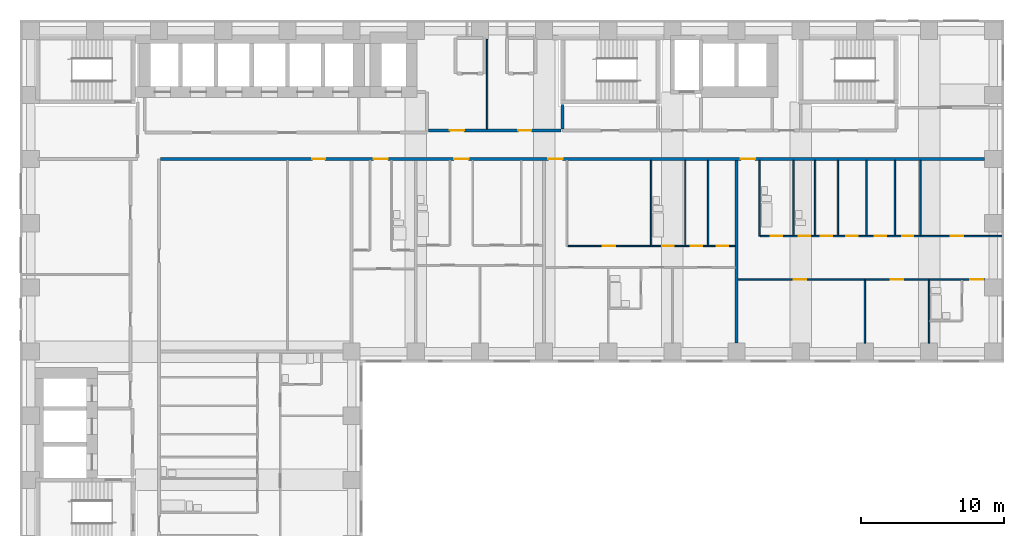
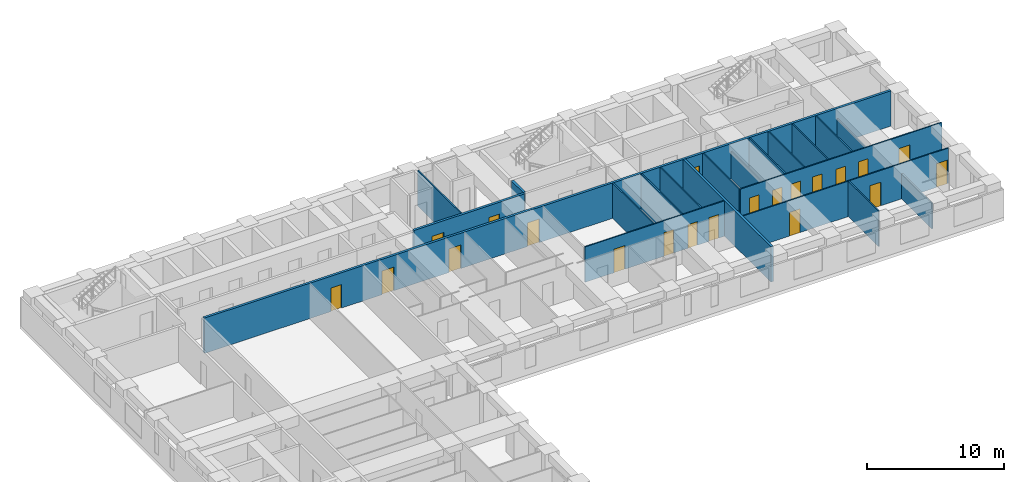
# One storey, part 7 of 13: 21 doors, 20 walls, 21 openings.
"""IFC4 building model written with IfcOpenShell, lengths in metres."""

from ifc_helpers import new_model, si_unit, direction, frame, frame_2d, origin, place, context, subcontext, project, spatial, rectangle, extrude, material, layer, layer_set, type_object, element, fill, save


model = new_model("IFC4")

# Units and contexts
model_context = context("Model", 3, precision=1e-05, world=origin(), true_north=direction((0.0, 1.0)))
body_context = subcontext(model_context, "Body", "Model", "MODEL_VIEW")
ifc_project = project(units=[si_unit("LENGTHUNIT", "METRE"), si_unit("AREAUNIT", "SQUARE_METRE"), si_unit("VOLUMEUNIT", "CUBIC_METRE"), si_unit("PLANEANGLEUNIT", "RADIAN"), si_unit("MASSUNIT", "GRAM", prefix="KILO")], contexts=[model_context])

# Site, building, storey
site_placement = place(None, origin())
site = spatial("IfcSite", under=ifc_project, at=site_placement, CompositionType="ELEMENT")
building_placement = place(site_placement, origin())
building = spatial("IfcBuilding", under=site, at=building_placement, Name="Firuza Court", CompositionType="ELEMENT")
storey_placement = place(building_placement, frame((0.0, 0.0, 104.60009765625)))
storey = spatial("IfcBuildingStorey", under=building, at=storey_placement, Name="L26", CompositionType="ELEMENT", Elevation=104.60009765625)

# Walls
ifc_material_1 = material(Name="Moisture-resistant gypsum board partition")
ifc_layer_1 = layer(ifc_material_1, 0.10009765625)
ifc_layer_set_1 = layer_set([ifc_layer_1], Name="Moisture-resistant gypsum board partition")
wall_type_1 = type_object("IfcWallType", Name="Bathroom partition 100", PredefinedType="PLUMBINGWALL", material=ifc_layer_set_1)
for number, where, z_axis, x_axis, name in (
    (1, (43.5, 43.449951171875, 0.0), (0.0, 0.0, 1.0), (0.0, 1.0, 0.0), "Bathroom partition 100 L26"),
    (2, (45.89990234375, 43.449951171875, 0.0), (0.0, 0.0, 1.0), (0.0, 1.0, 0.0), "Bathroom partition 100 L26"),
):
    element("IfcWall", number, at=place(storey_placement, frame(where, z_axis=z_axis, x_axis=x_axis)), inside=storey, type_object=wall_type_1, Name=name, PredefinedType="PLUMBINGWALL", context=body_context, shape_type="SweptSolid", body=[
        extrude(rectangle(XDim=5.949951171875, YDim=0.10009765625, at=frame_2d((2.97509765625, 0.0))), origin(), (0.0, 0.0, 1.0), 3.14990234375),
    ])
wall_1_placement = place(storey_placement, frame((51.10009765625, 44.10009765625, 0.0), z_axis=(0.0, 0.0, 1.0), x_axis=(0.0, 1.0, 0.0)))
element("IfcWall", 3, at=wall_1_placement, inside=storey, type_object=wall_type_1, Name="Bathroom partition 100 L26", PredefinedType="PLUMBINGWALL", context=body_context, shape_type="SweptSolid", body=[
    extrude(rectangle(XDim=5.2998046875, YDim=0.10009765625, at=frame_2d((2.64990234375, 0.0))), origin(), (0.0, 0.0, 1.0), 3.14990234375),
])
wall_2_placement = place(storey_placement, frame((53.5, 44.14990234375, 0.0), z_axis=(0.0, 0.0, 1.0), x_axis=(0.0, 1.0, 0.0)))
element("IfcWall", 4, at=wall_2_placement, inside=storey, type_object=wall_type_1, Name="Bathroom partition 100 L26", PredefinedType="PLUMBINGWALL", context=body_context, shape_type="SweptSolid", body=[
    extrude(rectangle(XDim=5.25, YDim=0.10009765625, at=frame_2d((2.625, 0.0))), origin(), (0.0, 0.0, 1.0), 2.449951171875),
])
wall_3_placement = place(storey_placement, frame((55.0, 44.14990234375, 0.0), z_axis=(0.0, 0.0, 1.0), x_axis=(0.0, 1.0, 0.0)))
element("IfcWall", 5, at=wall_3_placement, inside=storey, type_object=wall_type_1, Name="Bathroom partition 100 L26", PredefinedType="PLUMBINGWALL", context=body_context, shape_type="SweptSolid", body=[
    extrude(rectangle(XDim=5.25, YDim=0.10009765625, at=frame_2d((2.625, 0.0))), origin(), (0.0, 0.0, 1.0), 3.14990234375),
])

# Wall, openings, doors
ifc_material_2 = material(Name="Blockwork, plastered both sides", Category="masonry")
ifc_layer_2 = layer(ifc_material_2, 0.199951171875)
ifc_layer_set_2 = layer_set([ifc_layer_2], Name="Blockwork, plastered both sides")
wall_type_2 = type_object("IfcWallType", Name="Corridor wall 200", PredefinedType="PARTITIONING", material=ifc_layer_set_2)
wall_4_placement = place(storey_placement, frame((9.10009765625, 49.5, 0.0), z_axis=(0.0, 0.0, 1.0), x_axis=(1.0, 0.0, 0.0)))
wall_4 = element("IfcWall", 6, at=wall_4_placement, inside=storey, type_object=wall_type_2, Name="Corridor wall 200 L26", PredefinedType="PARTITIONING", context=body_context, shape_type="SweptSolid", body=[
    extrude(rectangle(XDim=57.7998046875, YDim=0.199951171875, at=frame_2d((28.89990234375, 0.0))), origin(), (0.0, 0.0, 1.0), 3.14990234375),
])
opening_1_placement = place(wall_4_placement, frame((14.949951171875, 0.0, 0.0)))
opening_1 = element("IfcOpeningElement", 7, at=opening_1_placement, cuts=wall_4, Name="Opening D26069", PredefinedType="OPENING", context=body_context, shape_type="SweptSolid", body=[
    extrude(rectangle(XDim=1.0, YDim=2.10009765625, at=frame_2d((0.5, 1.050048828125))), frame((0.0, 0.11181640625, 0.0), z_axis=(0.0, -1.0, 0.0), x_axis=(1.0, 0.0, 0.0)), (0.0, 0.0, 1.0), 0.223876953125),
])
opening_2_placement = place(wall_4_placement, frame((20.60009765625, 0.0, 0.0)))
opening_2 = element("IfcOpeningElement", 8, at=opening_2_placement, cuts=wall_4, Name="Opening D26070", PredefinedType="OPENING", context=body_context, shape_type="SweptSolid", body=[
    extrude(rectangle(XDim=1.0, YDim=2.10009765625, at=frame_2d((0.5, 1.050048828125))), frame((0.0, 0.11181640625, 0.0), z_axis=(0.0, -1.0, 0.0), x_axis=(1.0, 0.0, 0.0)), (0.0, 0.0, 1.0), 0.223876953125),
])
opening_3_placement = place(wall_4_placement, frame((27.199951171875, 0.0, 0.0)))
opening_3 = element("IfcOpeningElement", 9, at=opening_3_placement, cuts=wall_4, Name="Opening D26071", PredefinedType="OPENING", context=body_context, shape_type="SweptSolid", body=[
    extrude(rectangle(XDim=1.0, YDim=2.10009765625, at=frame_2d((0.5, 1.050048828125))), frame((0.0, 0.11181640625, 0.0), z_axis=(0.0, -1.0, 0.0), x_axis=(1.0, 0.0, 0.0)), (0.0, 0.0, 1.0), 0.223876953125),
])
opening_4_placement = place(wall_4_placement, frame((40.699951171875, 0.0, 0.0)))
opening_4 = element("IfcOpeningElement", 10, at=opening_4_placement, cuts=wall_4, Name="Opening D26072", PredefinedType="OPENING", context=body_context, shape_type="SweptSolid", body=[
    extrude(rectangle(XDim=1.0, YDim=2.10009765625, at=frame_2d((0.5, 1.050048828125))), frame((0.0, 0.11181640625, 0.0), z_axis=(0.0, -1.0, 0.0), x_axis=(1.0, 0.0, 0.0)), (0.0, 0.0, 1.0), 0.223876953125),
])
opening_5_placement = place(wall_4_placement, frame((10.64990234375, 0.0, 0.0)))
opening_5 = element("IfcOpeningElement", 11, at=opening_5_placement, cuts=wall_4, Name="Opening D26073", PredefinedType="OPENING", context=body_context, shape_type="SweptSolid", body=[
    extrude(rectangle(XDim=0.89990234375, YDim=2.10009765625, at=frame_2d((0.449951171875, 1.050048828125))), frame((0.0, 0.11181640625, 0.0), z_axis=(0.0, -1.0, 0.0), x_axis=(1.0, 0.0, 0.0)), (0.0, 0.0, 1.0), 0.223876953125),
])
ifc_material_3 = material(Name="Timber door leaf in hardwood frame", Category="wood")
door_type_1 = type_object("IfcDoorType", Name="Flat entrance door 1000", OperationType="SINGLE_SWING_LEFT", PredefinedType="DOOR", material=ifc_material_3)
door_1_placement = place(opening_1_placement, origin())
door_1 = element("IfcDoor", 12, at=door_1_placement, inside=storey, type_object=door_type_1, Name="Flat entrance door", OperationType="SINGLE_SWING_LEFT", OverallHeight=2.10009765625, OverallWidth=1.0, PredefinedType="DOOR", context=body_context, shape_type="SweptSolid", body=[
    extrude(rectangle(XDim=1.0, YDim=2.10009765625, at=frame_2d((0.5, 1.050048828125))), frame((0.0, 0.02490234375, 0.0), z_axis=(0.0, -1.0, 0.0), x_axis=(1.0, 0.0, 0.0)), (0.0, 0.0, 1.0), 0.050048828125),
])
fill(opening_1, door_1)
door_2_placement = place(opening_2_placement, origin())
door_2 = element("IfcDoor", 13, at=door_2_placement, inside=storey, type_object=door_type_1, Name="Flat entrance door", OperationType="SINGLE_SWING_LEFT", OverallHeight=2.10009765625, OverallWidth=1.0, PredefinedType="DOOR", context=body_context, shape_type="SweptSolid", body=[
    extrude(rectangle(XDim=1.0, YDim=2.10009765625, at=frame_2d((0.5, 1.050048828125))), frame((0.0, 0.02490234375, 0.0), z_axis=(0.0, -1.0, 0.0), x_axis=(1.0, 0.0, 0.0)), (0.0, 0.0, 1.0), 0.050048828125),
])
fill(opening_2, door_2)
door_3_placement = place(opening_3_placement, origin())
door_3 = element("IfcDoor", 14, at=door_3_placement, inside=storey, type_object=door_type_1, Name="Flat entrance door", OperationType="SINGLE_SWING_LEFT", OverallHeight=2.10009765625, OverallWidth=1.0, PredefinedType="DOOR", context=body_context, shape_type="SweptSolid", body=[
    extrude(rectangle(XDim=1.0, YDim=2.10009765625, at=frame_2d((0.5, 1.050048828125))), frame((0.0, 0.02490234375, 0.0), z_axis=(0.0, -1.0, 0.0), x_axis=(1.0, 0.0, 0.0)), (0.0, 0.0, 1.0), 0.050048828125),
])
fill(opening_3, door_3)
door_4_placement = place(opening_4_placement, origin())
door_4 = element("IfcDoor", 15, at=door_4_placement, inside=storey, type_object=door_type_1, Name="Flat entrance door", OperationType="SINGLE_SWING_LEFT", OverallHeight=2.10009765625, OverallWidth=1.0, PredefinedType="DOOR", context=body_context, shape_type="SweptSolid", body=[
    extrude(rectangle(XDim=1.0, YDim=2.10009765625, at=frame_2d((0.5, 1.050048828125))), frame((0.0, 0.02490234375, 0.0), z_axis=(0.0, -1.0, 0.0), x_axis=(1.0, 0.0, 0.0)), (0.0, 0.0, 1.0), 0.050048828125),
])
fill(opening_4, door_4)
ifc_material_4 = material(Name="Timber door leaf in hardwood frame", Category="wood")
door_type_2 = type_object("IfcDoorType", Name="Room door 900 EI 30", OperationType="SINGLE_SWING_LEFT", PredefinedType="DOOR", material=ifc_material_4)
door_5_placement = place(opening_5_placement, frame((0.89990234375, 0.0, 0.0), z_axis=(0.0, 0.0, 1.0), x_axis=(-1.0, 0.0, 0.0)))
door_5 = element("IfcDoor", 16, at=door_5_placement, inside=storey, type_object=door_type_2, Name="Games room door", OperationType="SINGLE_SWING_RIGHT", OverallHeight=2.10009765625, OverallWidth=0.89990234375, PredefinedType="DOOR", context=body_context, shape_type="SweptSolid", body=[
    extrude(rectangle(XDim=0.89990234375, YDim=2.10009765625, at=frame_2d((0.449951171875, 1.050048828125))), frame((0.0, 0.02490234375, 0.0), z_axis=(0.0, -1.0, 0.0), x_axis=(1.0, 0.0, 0.0)), (0.0, 0.0, 1.0), 0.050048828125),
])
fill(opening_5, door_5)

wall_5_placement = place(storey_placement, frame((27.89990234375, 51.5, 0.0), z_axis=(0.0, 0.0, 1.0), x_axis=(1.0, 0.0, 0.0)))
wall_5 = element("IfcWall", 17, at=wall_5_placement, inside=storey, type_object=wall_type_2, Name="Corridor wall 200 L26", PredefinedType="PARTITIONING", context=body_context, shape_type="SweptSolid", body=[
    extrude(rectangle(XDim=9.300048828125, YDim=0.199951171875, at=frame_2d((4.64990234375, 0.0))), origin(), (0.0, 0.0, 1.0), 3.14990234375),
])
opening_6_placement = place(wall_5_placement, frame((1.5, 0.0, 0.0)))
opening_6 = element("IfcOpeningElement", 18, at=opening_6_placement, cuts=wall_5, Name="Opening D26074", PredefinedType="OPENING", context=body_context, shape_type="SweptSolid", body=[
    extrude(rectangle(XDim=1.0, YDim=2.10009765625, at=frame_2d((0.5, 1.050048828125))), frame((0.0, 0.11181640625, 0.0), z_axis=(0.0, -1.0, 0.0), x_axis=(1.0, 0.0, 0.0)), (0.0, 0.0, 1.0), 0.223876953125),
])
opening_7_placement = place(wall_5_placement, frame((6.300048828125, 0.0, 0.0)))
opening_7 = element("IfcOpeningElement", 19, at=opening_7_placement, cuts=wall_5, Name="Opening D26075", PredefinedType="OPENING", context=body_context, shape_type="SweptSolid", body=[
    extrude(rectangle(XDim=0.89990234375, YDim=2.10009765625, at=frame_2d((0.449951171875, 1.050048828125))), frame((0.0, 0.11181640625, 0.0), z_axis=(0.0, -1.0, 0.0), x_axis=(1.0, 0.0, 0.0)), (0.0, 0.0, 1.0), 0.223876953125),
])
door_6_placement = place(opening_7_placement, origin())
door_6 = element("IfcDoor", 20, at=door_6_placement, inside=storey, type_object=door_type_2, Name="Concierge room door", OperationType="SINGLE_SWING_LEFT", OverallHeight=2.10009765625, OverallWidth=0.89990234375, PredefinedType="DOOR", context=body_context, shape_type="SweptSolid", body=[
    extrude(rectangle(XDim=0.89990234375, YDim=2.10009765625, at=frame_2d((0.449951171875, 1.050048828125))), frame((0.0, 0.02490234375, 0.0), z_axis=(0.0, -1.0, 0.0), x_axis=(1.0, 0.0, 0.0)), (0.0, 0.0, 1.0), 0.050048828125),
])
fill(opening_7, door_6)
ifc_material_5 = material(Name="Timber door leaf in hardwood frame", Category="wood")
door_type_3 = type_object("IfcDoorType", Name="Store door 1000", OperationType="SINGLE_SWING_LEFT", PredefinedType="DOOR", material=ifc_material_5)
door_7_placement = place(opening_6_placement, origin())
door_7 = element("IfcDoor", 21, at=door_7_placement, inside=storey, type_object=door_type_3, Name="Cleaner's store door", OperationType="SINGLE_SWING_LEFT", OverallHeight=2.10009765625, OverallWidth=1.0, PredefinedType="DOOR", context=body_context, shape_type="SweptSolid", body=[
    extrude(rectangle(XDim=1.0, YDim=2.10009765625, at=frame_2d((0.5, 1.050048828125))), frame((0.0, 0.02490234375, 0.0), z_axis=(0.0, -1.0, 0.0), x_axis=(1.0, 0.0, 0.0)), (0.0, 0.0, 1.0), 0.050048828125),
])
fill(opening_6, door_7)

# Walls
ifc_material_6 = material(Name="Timber stud partition, plasterboard both sides", Category="wood")
ifc_layer_3 = layer(ifc_material_6, 0.10009765625)
ifc_layer_set_3 = layer_set([ifc_layer_3], Name="Timber stud partition, plasterboard both sides")
wall_type_3 = type_object("IfcWallType", Name="Partition wall 100", PredefinedType="PARTITIONING", material=ifc_layer_set_3)
wall_6_placement = place(storey_placement, frame((58.5, 36.60009765625, 0.0), z_axis=(0.0, 0.0, 1.0), x_axis=(0.0, 1.0, 0.0)))
element("IfcWall", 22, at=wall_6_placement, inside=storey, type_object=wall_type_3, Name="Partition wall 100 L26", PredefinedType="PARTITIONING", context=body_context, shape_type="SweptSolid", body=[
    extrude(rectangle(XDim=4.39990234375, YDim=0.10009765625, at=frame_2d((2.199951171875, 0.0))), origin(), (0.0, 0.0, 1.0), 3.14990234375),
])
wall_7_placement = place(storey_placement, frame((63.0, 36.60009765625, 0.0), z_axis=(0.0, 0.0, 1.0), x_axis=(0.0, 1.0, 0.0)))
element("IfcWall", 23, at=wall_7_placement, inside=storey, type_object=wall_type_3, Name="Partition wall 100 L26", PredefinedType="PARTITIONING", context=body_context, shape_type="SweptSolid", body=[
    extrude(rectangle(XDim=4.39990234375, YDim=0.10009765625, at=frame_2d((2.199951171875, 0.0))), origin(), (0.0, 0.0, 1.0), 2.25),
])

# Wall, openings, doors
wall_8_placement = place(storey_placement, frame((49.60009765625, 41.050048828125, 0.0), z_axis=(0.0, 0.0, 1.0), x_axis=(1.0, 0.0, 0.0)))
wall_8 = element("IfcWall", 24, at=wall_8_placement, inside=storey, type_object=wall_type_3, Name="Partition wall 100 L26", PredefinedType="PARTITIONING", context=body_context, shape_type="SweptSolid", body=[
    extrude(rectangle(XDim=17.2998046875, YDim=0.10009765625, at=frame_2d((8.64990234375, 0.0))), origin(), (0.0, 0.0, 1.0), 3.14990234375),
])
opening_8_placement = place(wall_8_placement, frame((3.89990234375, 0.0, 0.0)))
opening_8 = element("IfcOpeningElement", 25, at=opening_8_placement, cuts=wall_8, Name="Opening D26044", PredefinedType="OPENING", context=body_context, shape_type="SweptSolid", body=[
    extrude(rectangle(XDim=0.89990234375, YDim=2.10009765625, at=frame_2d((0.449951171875, 1.050048828125))), frame((0.0, 0.06201171875, 0.0), z_axis=(0.0, -1.0, 0.0), x_axis=(1.0, 0.0, 0.0)), (0.0, 0.0, 1.0), 0.1240234375),
])
opening_9_placement = place(wall_8_placement, frame((10.699951171875, 0.0, 0.0)))
opening_9 = element("IfcOpeningElement", 26, at=opening_9_placement, cuts=wall_8, Name="Opening D26045", PredefinedType="OPENING", context=body_context, shape_type="SweptSolid", body=[
    extrude(rectangle(XDim=0.89990234375, YDim=2.10009765625, at=frame_2d((0.449951171875, 1.050048828125))), frame((0.0, 0.06201171875, 0.0), z_axis=(0.0, -1.0, 0.0), x_axis=(1.0, 0.0, 0.0)), (0.0, 0.0, 1.0), 0.1240234375),
])
opening_10_placement = place(wall_8_placement, frame((16.300048828125, 0.0, 0.0)))
opening_10 = element("IfcOpeningElement", 27, at=opening_10_placement, cuts=wall_8, Name="Opening D26046", PredefinedType="OPENING", context=body_context, shape_type="SweptSolid", body=[
    extrude(rectangle(XDim=0.89990234375, YDim=2.10009765625, at=frame_2d((0.449951171875, 1.050048828125))), frame((0.0, 0.06201171875, 0.0), z_axis=(0.0, -1.0, 0.0), x_axis=(1.0, 0.0, 0.0)), (0.0, 0.0, 1.0), 0.1240234375),
])
ifc_material_7 = material(Name="Timber door leaf in hardwood frame", Category="wood")
door_type_4 = type_object("IfcDoorType", Name="Room door 900", OperationType="SINGLE_SWING_LEFT", PredefinedType="DOOR", material=ifc_material_7)
door_8_placement = place(opening_8_placement, frame((0.89990234375, 0.0, 0.0), z_axis=(0.0, 0.0, 1.0), x_axis=(-1.0, 0.0, 0.0)))
door_8 = element("IfcDoor", 28, at=door_8_placement, inside=storey, type_object=door_type_4, Name="Living room door", OperationType="SINGLE_SWING_RIGHT", OverallHeight=2.10009765625, OverallWidth=0.89990234375, PredefinedType="DOOR", context=body_context, shape_type="SweptSolid", body=[
    extrude(rectangle(XDim=0.89990234375, YDim=2.10009765625, at=frame_2d((0.449951171875, 1.050048828125))), frame((0.0, 0.02490234375, 0.0), z_axis=(0.0, -1.0, 0.0), x_axis=(1.0, 0.0, 0.0)), (0.0, 0.0, 1.0), 0.050048828125),
])
fill(opening_8, door_8)
door_9_placement = place(opening_9_placement, frame((0.89990234375, 0.0, 0.0), z_axis=(0.0, 0.0, 1.0), x_axis=(-1.0, 0.0, 0.0)))
door_9 = element("IfcDoor", 29, at=door_9_placement, inside=storey, type_object=door_type_4, Name="Bedroom door", OperationType="SINGLE_SWING_RIGHT", OverallHeight=2.10009765625, OverallWidth=0.89990234375, PredefinedType="DOOR", context=body_context, shape_type="SweptSolid", body=[
    extrude(rectangle(XDim=0.89990234375, YDim=2.10009765625, at=frame_2d((0.449951171875, 1.050048828125))), frame((0.0, 0.02490234375, 0.0), z_axis=(0.0, -1.0, 0.0), x_axis=(1.0, 0.0, 0.0)), (0.0, 0.0, 1.0), 0.050048828125),
])
fill(opening_9, door_9)
door_10_placement = place(opening_10_placement, frame((0.89990234375, 0.0, 0.0), z_axis=(0.0, 0.0, 1.0), x_axis=(-1.0, 0.0, 0.0)))
door_10 = element("IfcDoor", 30, at=door_10_placement, inside=storey, type_object=door_type_4, Name="Bedroom door", OperationType="SINGLE_SWING_LEFT", OverallHeight=2.10009765625, OverallWidth=0.89990234375, PredefinedType="DOOR", context=body_context, shape_type="SweptSolid", body=[
    extrude(rectangle(XDim=0.89990234375, YDim=2.10009765625, at=frame_2d((0.449951171875, 1.050048828125))), frame((0.0, 0.02490234375, 0.0), z_axis=(0.0, -1.0, 0.0), x_axis=(1.0, 0.0, 0.0)), (0.0, 0.0, 1.0), 0.050048828125),
])
fill(opening_10, door_10)

wall_9_placement = place(storey_placement, frame((37.64990234375, 43.39990234375, 0.0), z_axis=(0.0, 0.0, 1.0), x_axis=(1.0, 0.0, 0.0)))
wall_9 = element("IfcWall", 31, at=wall_9_placement, inside=storey, type_object=wall_type_3, Name="Partition wall 100 L26", PredefinedType="PARTITIONING", context=body_context, shape_type="SweptSolid", body=[
    extrude(rectangle(XDim=11.75, YDim=0.10009765625, at=frame_2d((5.875, 0.0))), origin(), (0.0, 0.0, 1.0), 3.14990234375),
])
opening_11_placement = place(wall_9_placement, frame((6.64990234375, 0.0, 0.0)))
opening_11 = element("IfcOpeningElement", 32, at=opening_11_placement, cuts=wall_9, Name="Opening D26055", PredefinedType="OPENING", context=body_context, shape_type="SweptSolid", body=[
    extrude(rectangle(XDim=0.800048828125, YDim=2.10009765625, at=frame_2d((0.39990234375, 1.050048828125))), frame((0.0, 0.06201171875, 0.0), z_axis=(0.0, -1.0, 0.0), x_axis=(1.0, 0.0, 0.0)), (0.0, 0.0, 1.0), 0.1240234375),
])
opening_12_placement = place(wall_9_placement, frame((2.449951171875, 0.0, 0.0)))
opening_12 = element("IfcOpeningElement", 33, at=opening_12_placement, cuts=wall_9, Name="Opening D26056", PredefinedType="OPENING", context=body_context, shape_type="SweptSolid", body=[
    extrude(rectangle(XDim=0.89990234375, YDim=2.10009765625, at=frame_2d((0.449951171875, 1.050048828125))), frame((0.0, 0.06201171875, 0.0), z_axis=(0.0, -1.0, 0.0), x_axis=(1.0, 0.0, 0.0)), (0.0, 0.0, 1.0), 0.1240234375),
])
opening_13_placement = place(wall_9_placement, frame((8.64990234375, 0.0, 0.0)))
opening_13 = element("IfcOpeningElement", 34, at=opening_13_placement, cuts=wall_9, Name="Opening D26057", PredefinedType="OPENING", context=body_context, shape_type="SweptSolid", body=[
    extrude(rectangle(XDim=0.800048828125, YDim=2.10009765625, at=frame_2d((0.39990234375, 1.050048828125))), frame((0.0, 0.06201171875, 0.0), z_axis=(0.0, -1.0, 0.0), x_axis=(1.0, 0.0, 0.0)), (0.0, 0.0, 1.0), 0.1240234375),
])
opening_14_placement = place(wall_9_placement, frame((10.449951171875, 0.0, 0.0)))
opening_14 = element("IfcOpeningElement", 35, at=opening_14_placement, cuts=wall_9, Name="Opening D26058", PredefinedType="OPENING", context=body_context, shape_type="SweptSolid", body=[
    extrude(rectangle(XDim=0.800048828125, YDim=2.10009765625, at=frame_2d((0.39990234375, 1.050048828125))), frame((0.0, 0.06201171875, 0.0), z_axis=(0.0, -1.0, 0.0), x_axis=(1.0, 0.0, 0.0)), (0.0, 0.0, 1.0), 0.1240234375),
])
ifc_material_8 = material(Name="Timber door leaf in hardwood frame", Category="wood")
door_type_5 = type_object("IfcDoorType", Name="Bathroom door 800", OperationType="SINGLE_SWING_LEFT", PredefinedType="DOOR", material=ifc_material_8)
door_11_placement = place(opening_11_placement, origin())
door_11 = element("IfcDoor", 36, at=door_11_placement, inside=storey, type_object=door_type_5, Name="Bathroom door", OperationType="SINGLE_SWING_LEFT", OverallHeight=2.10009765625, OverallWidth=0.800048828125, PredefinedType="DOOR", context=body_context, shape_type="SweptSolid", body=[
    extrude(rectangle(XDim=0.800048828125, YDim=2.10009765625, at=frame_2d((0.39990234375, 1.050048828125))), frame((0.0, 0.02490234375, 0.0), z_axis=(0.0, -1.0, 0.0), x_axis=(1.0, 0.0, 0.0)), (0.0, 0.0, 1.0), 0.050048828125),
])
fill(opening_11, door_11)
ifc_material_9 = material(Name="Timber door leaf in hardwood frame", Category="wood")
door_type_6 = type_object("IfcDoorType", Name="Room door 800", OperationType="SINGLE_SWING_LEFT", PredefinedType="DOOR", material=ifc_material_9)
door_12_placement = place(opening_13_placement, origin())
door_12 = element("IfcDoor", 37, at=door_12_placement, inside=storey, type_object=door_type_6, Name="Store door", OperationType="SINGLE_SWING_LEFT", OverallHeight=2.10009765625, OverallWidth=0.800048828125, PredefinedType="DOOR", context=body_context, shape_type="SweptSolid", body=[
    extrude(rectangle(XDim=0.800048828125, YDim=2.10009765625, at=frame_2d((0.39990234375, 1.050048828125))), frame((0.0, 0.02490234375, 0.0), z_axis=(0.0, -1.0, 0.0), x_axis=(1.0, 0.0, 0.0)), (0.0, 0.0, 1.0), 0.050048828125),
])
fill(opening_13, door_12)
door_13_placement = place(opening_14_placement, origin())
door_13 = element("IfcDoor", 38, at=door_13_placement, inside=storey, type_object=door_type_6, Name="Utility room door", OperationType="SINGLE_SWING_LEFT", OverallHeight=2.10009765625, OverallWidth=0.800048828125, PredefinedType="DOOR", context=body_context, shape_type="SweptSolid", body=[
    extrude(rectangle(XDim=0.800048828125, YDim=2.10009765625, at=frame_2d((0.39990234375, 1.050048828125))), frame((0.0, 0.02490234375, 0.0), z_axis=(0.0, -1.0, 0.0), x_axis=(1.0, 0.0, 0.0)), (0.0, 0.0, 1.0), 0.050048828125),
])
fill(opening_14, door_13)
door_14_placement = place(opening_12_placement, origin())
door_14 = element("IfcDoor", 39, at=door_14_placement, inside=storey, type_object=door_type_4, Name="Kitchen door", OperationType="SINGLE_SWING_LEFT", OverallHeight=2.10009765625, OverallWidth=0.89990234375, PredefinedType="DOOR", context=body_context, shape_type="SweptSolid", body=[
    extrude(rectangle(XDim=0.89990234375, YDim=2.10009765625, at=frame_2d((0.449951171875, 1.050048828125))), frame((0.0, 0.02490234375, 0.0), z_axis=(0.0, -1.0, 0.0), x_axis=(1.0, 0.0, 0.0)), (0.0, 0.0, 1.0), 0.050048828125),
])
fill(opening_12, door_14)

# Wall
wall_10_placement = place(storey_placement, frame((47.5, 43.449951171875, 0.0), z_axis=(0.0, 0.0, 1.0), x_axis=(0.0, 1.0, 0.0)))
element("IfcWall", 40, at=wall_10_placement, inside=storey, type_object=wall_type_3, Name="Partition wall 100 L26", PredefinedType="PARTITIONING", context=body_context, shape_type="SweptSolid", body=[
    extrude(rectangle(XDim=5.949951171875, YDim=0.10009765625, at=frame_2d((2.97509765625, 0.0))), origin(), (0.0, 0.0, 1.0), 3.14990234375),
])

# Wall, openings, doors
wall_11_placement = place(storey_placement, frame((51.14990234375, 44.10009765625, 0.0), z_axis=(0.0, 0.0, 1.0), x_axis=(1.0, 0.0, 0.0)))
wall_11 = element("IfcWall", 41, at=wall_11_placement, inside=storey, type_object=wall_type_3, Name="Partition wall 100 L26", PredefinedType="PARTITIONING", context=body_context, shape_type="SweptSolid", body=[
    extrude(rectangle(XDim=16.9501953125, YDim=0.10009765625, at=frame_2d((8.47509765625, 0.0))), origin(), (0.0, 0.0, 1.0), 3.14990234375),
])
opening_15_placement = place(wall_11_placement, frame((0.75, 0.0, 0.0)))
opening_15 = element("IfcOpeningElement", 42, at=opening_15_placement, cuts=wall_11, Name="Opening D26062", PredefinedType="OPENING", context=body_context, shape_type="SweptSolid", body=[
    extrude(rectangle(XDim=0.800048828125, YDim=2.10009765625, at=frame_2d((0.39990234375, 1.050048828125))), frame((0.0, 0.06201171875, 0.0), z_axis=(0.0, -1.0, 0.0), x_axis=(1.0, 0.0, 0.0)), (0.0, 0.0, 1.0), 0.1240234375),
])
opening_16_placement = place(wall_11_placement, frame((13.35009765625, 0.0, 0.0)))
opening_16 = element("IfcOpeningElement", 43, at=opening_16_placement, cuts=wall_11, Name="Opening D26063", PredefinedType="OPENING", context=body_context, shape_type="SweptSolid", body=[
    extrude(rectangle(XDim=0.89990234375, YDim=2.10009765625, at=frame_2d((0.449951171875, 1.050048828125))), frame((0.0, 0.06201171875, 0.0), z_axis=(0.0, -1.0, 0.0), x_axis=(1.0, 0.0, 0.0)), (0.0, 0.0, 1.0), 0.1240234375),
])
opening_17_placement = place(wall_11_placement, frame((8.050048828125, 0.0, 0.0)))
opening_17 = element("IfcOpeningElement", 44, at=opening_17_placement, cuts=wall_11, Name="Opening D26064", PredefinedType="OPENING", context=body_context, shape_type="SweptSolid", body=[
    extrude(rectangle(XDim=0.800048828125, YDim=2.10009765625, at=frame_2d((0.39990234375, 1.050048828125))), frame((0.0, 0.06201171875, 0.0), z_axis=(0.0, -1.0, 0.0), x_axis=(1.0, 0.0, 0.0)), (0.0, 0.0, 1.0), 0.1240234375),
])
opening_18_placement = place(wall_11_placement, frame((4.25, 0.0, 0.0)))
opening_18 = element("IfcOpeningElement", 45, at=opening_18_placement, cuts=wall_11, Name="Opening D26065", PredefinedType="OPENING", context=body_context, shape_type="SweptSolid", body=[
    extrude(rectangle(XDim=0.800048828125, YDim=2.10009765625, at=frame_2d((0.39990234375, 1.050048828125))), frame((0.0, 0.06201171875, 0.0), z_axis=(0.0, -1.0, 0.0), x_axis=(1.0, 0.0, 0.0)), (0.0, 0.0, 1.0), 0.1240234375),
])
opening_19_placement = place(wall_11_placement, frame((6.050048828125, 0.0, 0.0)))
opening_19 = element("IfcOpeningElement", 46, at=opening_19_placement, cuts=wall_11, Name="Opening D26066", PredefinedType="OPENING", context=body_context, shape_type="SweptSolid", body=[
    extrude(rectangle(XDim=0.800048828125, YDim=2.10009765625, at=frame_2d((0.39990234375, 1.050048828125))), frame((0.0, 0.06201171875, 0.0), z_axis=(0.0, -1.0, 0.0), x_axis=(1.0, 0.0, 0.0)), (0.0, 0.0, 1.0), 0.1240234375),
])
opening_20_placement = place(wall_11_placement, frame((9.949951171875, 0.0, 0.0)))
opening_20 = element("IfcOpeningElement", 47, at=opening_20_placement, cuts=wall_11, Name="Opening D26067", PredefinedType="OPENING", context=body_context, shape_type="SweptSolid", body=[
    extrude(rectangle(XDim=0.800048828125, YDim=2.10009765625, at=frame_2d((0.39990234375, 1.050048828125))), frame((0.0, 0.06201171875, 0.0), z_axis=(0.0, -1.0, 0.0), x_axis=(1.0, 0.0, 0.0)), (0.0, 0.0, 1.0), 0.1240234375),
])
opening_21_placement = place(wall_11_placement, frame((2.699951171875, 0.0, 0.0)))
opening_21 = element("IfcOpeningElement", 48, at=opening_21_placement, cuts=wall_11, Name="Opening D26068", PredefinedType="OPENING", context=body_context, shape_type="SweptSolid", body=[
    extrude(rectangle(XDim=0.800048828125, YDim=2.10009765625, at=frame_2d((0.39990234375, 1.050048828125))), frame((0.0, 0.06201171875, 0.0), z_axis=(0.0, -1.0, 0.0), x_axis=(1.0, 0.0, 0.0)), (0.0, 0.0, 1.0), 0.1240234375),
])
door_15_placement = place(opening_15_placement, origin())
door_15 = element("IfcDoor", 49, at=door_15_placement, inside=storey, type_object=door_type_5, Name="Bathroom door", OperationType="SINGLE_SWING_LEFT", OverallHeight=2.10009765625, OverallWidth=0.800048828125, PredefinedType="DOOR", context=body_context, shape_type="SweptSolid", body=[
    extrude(rectangle(XDim=0.800048828125, YDim=2.10009765625, at=frame_2d((0.39990234375, 1.050048828125))), frame((0.0, 0.02490234375, 0.0), z_axis=(0.0, -1.0, 0.0), x_axis=(1.0, 0.0, 0.0)), (0.0, 0.0, 1.0), 0.050048828125),
])
fill(opening_15, door_15)
door_16_placement = place(opening_21_placement, origin())
door_16 = element("IfcDoor", 50, at=door_16_placement, inside=storey, type_object=door_type_5, Name="Powder room door", OperationType="SINGLE_SWING_LEFT", OverallHeight=2.10009765625, OverallWidth=0.800048828125, PredefinedType="DOOR", context=body_context, shape_type="SweptSolid", body=[
    extrude(rectangle(XDim=0.800048828125, YDim=2.10009765625, at=frame_2d((0.39990234375, 1.050048828125))), frame((0.0, 0.02490234375, 0.0), z_axis=(0.0, -1.0, 0.0), x_axis=(1.0, 0.0, 0.0)), (0.0, 0.0, 1.0), 0.050048828125),
])
fill(opening_21, door_16)
door_17_placement = place(opening_17_placement, origin())
door_17 = element("IfcDoor", 51, at=door_17_placement, inside=storey, type_object=door_type_6, Name="Pantry door", OperationType="SINGLE_SWING_LEFT", OverallHeight=2.10009765625, OverallWidth=0.800048828125, PredefinedType="DOOR", context=body_context, shape_type="SweptSolid", body=[
    extrude(rectangle(XDim=0.800048828125, YDim=2.10009765625, at=frame_2d((0.39990234375, 1.050048828125))), frame((0.0, 0.02490234375, 0.0), z_axis=(0.0, -1.0, 0.0), x_axis=(1.0, 0.0, 0.0)), (0.0, 0.0, 1.0), 0.050048828125),
])
fill(opening_17, door_17)
door_18_placement = place(opening_18_placement, origin())
door_18 = element("IfcDoor", 52, at=door_18_placement, inside=storey, type_object=door_type_6, Name="Store door", OperationType="SINGLE_SWING_LEFT", OverallHeight=2.10009765625, OverallWidth=0.800048828125, PredefinedType="DOOR", context=body_context, shape_type="SweptSolid", body=[
    extrude(rectangle(XDim=0.800048828125, YDim=2.10009765625, at=frame_2d((0.39990234375, 1.050048828125))), frame((0.0, 0.02490234375, 0.0), z_axis=(0.0, -1.0, 0.0), x_axis=(1.0, 0.0, 0.0)), (0.0, 0.0, 1.0), 0.050048828125),
])
fill(opening_18, door_18)
door_19_placement = place(opening_19_placement, origin())
door_19 = element("IfcDoor", 53, at=door_19_placement, inside=storey, type_object=door_type_6, Name="Utility room door", OperationType="SINGLE_SWING_LEFT", OverallHeight=2.10009765625, OverallWidth=0.800048828125, PredefinedType="DOOR", context=body_context, shape_type="SweptSolid", body=[
    extrude(rectangle(XDim=0.800048828125, YDim=2.10009765625, at=frame_2d((0.39990234375, 1.050048828125))), frame((0.0, 0.02490234375, 0.0), z_axis=(0.0, -1.0, 0.0), x_axis=(1.0, 0.0, 0.0)), (0.0, 0.0, 1.0), 0.050048828125),
])
fill(opening_19, door_19)
door_20_placement = place(opening_20_placement, origin())
door_20 = element("IfcDoor", 54, at=door_20_placement, inside=storey, type_object=door_type_6, Name="Walk-in wardrobe door", OperationType="SINGLE_SWING_LEFT", OverallHeight=2.10009765625, OverallWidth=0.800048828125, PredefinedType="DOOR", context=body_context, shape_type="SweptSolid", body=[
    extrude(rectangle(XDim=0.800048828125, YDim=2.10009765625, at=frame_2d((0.39990234375, 1.050048828125))), frame((0.0, 0.02490234375, 0.0), z_axis=(0.0, -1.0, 0.0), x_axis=(1.0, 0.0, 0.0)), (0.0, 0.0, 1.0), 0.050048828125),
])
fill(opening_20, door_20)
door_21_placement = place(opening_16_placement, origin())
door_21 = element("IfcDoor", 55, at=door_21_placement, inside=storey, type_object=door_type_4, Name="Kitchen door", OperationType="SINGLE_SWING_LEFT", OverallHeight=2.10009765625, OverallWidth=0.89990234375, PredefinedType="DOOR", context=body_context, shape_type="SweptSolid", body=[
    extrude(rectangle(XDim=0.89990234375, YDim=2.10009765625, at=frame_2d((0.449951171875, 1.050048828125))), frame((0.0, 0.02490234375, 0.0), z_axis=(0.0, -1.0, 0.0), x_axis=(1.0, 0.0, 0.0)), (0.0, 0.0, 1.0), 0.050048828125),
])
fill(opening_16, door_21)

# Walls
for number, where, z_axis, x_axis, name in (
    (56, (56.60009765625, 44.14990234375, 0.0), (0.0, 0.0, 1.0), (0.0, 1.0, 0.0), "Partition wall 100 L26"),
    (57, (58.60009765625, 44.14990234375, 0.0), (0.0, 0.0, 1.0), (0.0, 1.0, 0.0), "Partition wall 100 L26"),
    (58, (60.60009765625, 44.14990234375, 0.0), (0.0, 0.0, 1.0), (0.0, 1.0, 0.0), "Partition wall 100 L26"),
):
    element("IfcWall", number, at=place(storey_placement, frame(where, z_axis=z_axis, x_axis=x_axis)), inside=storey, type_object=wall_type_3, Name=name, PredefinedType="PARTITIONING", context=body_context, shape_type="SweptSolid", body=[
        extrude(rectangle(XDim=5.25, YDim=0.10009765625, at=frame_2d((2.625, 0.0))), origin(), (0.0, 0.0, 1.0), 3.14990234375),
    ])
wall_12_placement = place(storey_placement, frame((62.39990234375, 44.14990234375, 0.0), z_axis=(0.0, 0.0, 1.0), x_axis=(0.0, 1.0, 0.0)))
element("IfcWall", 59, at=wall_12_placement, inside=storey, type_object=wall_type_3, Name="Partition wall 100 L26", PredefinedType="PARTITIONING", context=body_context, shape_type="SweptSolid", body=[
    extrude(rectangle(XDim=5.25, YDim=0.10009765625, at=frame_2d((2.625, 0.0))), origin(), (0.0, 0.0, 1.0), 2.25),
])
wall_13_placement = place(storey_placement, frame((32.0, 51.60009765625, 0.0), z_axis=(0.0, 0.0, 1.0), x_axis=(0.0, 1.0, 0.0)))
element("IfcWall", 60, at=wall_13_placement, inside=storey, type_object=wall_type_3, Name="Partition wall 100 L26", PredefinedType="PARTITIONING", context=body_context, shape_type="SweptSolid", body=[
    extrude(rectangle(XDim=6.2998046875, YDim=0.10009765625, at=frame_2d((3.14990234375, 0.0))), origin(), (0.0, 0.0, 1.0), 3.14990234375),
])
ifc_layer_4 = layer(ifc_material_2, 0.199951171875)
ifc_layer_set_4 = layer_set([ifc_layer_4], Name="Blockwork, plastered both sides")
wall_type_4 = type_object("IfcWallType", Name="Party wall 200", PredefinedType="PARTITIONING", material=ifc_layer_set_4)
wall_14_placement = place(storey_placement, frame((49.5, 36.60009765625, 0.0), z_axis=(0.0, 0.0, 1.0), x_axis=(0.0, 1.0, 0.0)))
element("IfcWall", 61, at=wall_14_placement, inside=storey, type_object=wall_type_4, Name="Party wall 200 L26", PredefinedType="PARTITIONING", context=body_context, shape_type="SweptSolid", body=[
    extrude(rectangle(XDim=12.7998046875, YDim=0.199951171875, at=frame_2d((6.39990234375, 0.0))), origin(), (0.0, 0.0, 1.0), 3.14990234375),
])
ifc_material_10 = material(Name="Blockwork, fire-rated", Category="masonry")
ifc_layer_5 = layer(ifc_material_10, 0.199951171875)
ifc_layer_set_5 = layer_set([ifc_layer_5], Name="Blockwork, fire-rated")
wall_type_5 = type_object("IfcWallType", Name="Shaft wall 200", PredefinedType="PARTITIONING", material=ifc_layer_set_5)
wall_15_placement = place(storey_placement, frame((37.300048828125, 51.60009765625, 0.0), z_axis=(0.0, 0.0, 1.0), x_axis=(0.0, 1.0, 0.0)))
element("IfcWall", 62, at=wall_15_placement, inside=storey, type_object=wall_type_5, Name="Shaft wall 200 L26", PredefinedType="PARTITIONING", context=body_context, shape_type="SweptSolid", body=[
    extrude(rectangle(XDim=1.72998046875, YDim=0.199951171875, at=frame_2d((0.864990234375, 0.0))), origin(), (0.0, 0.0, 1.0), 3.14990234375),
])

save(model, "model.ifc")
